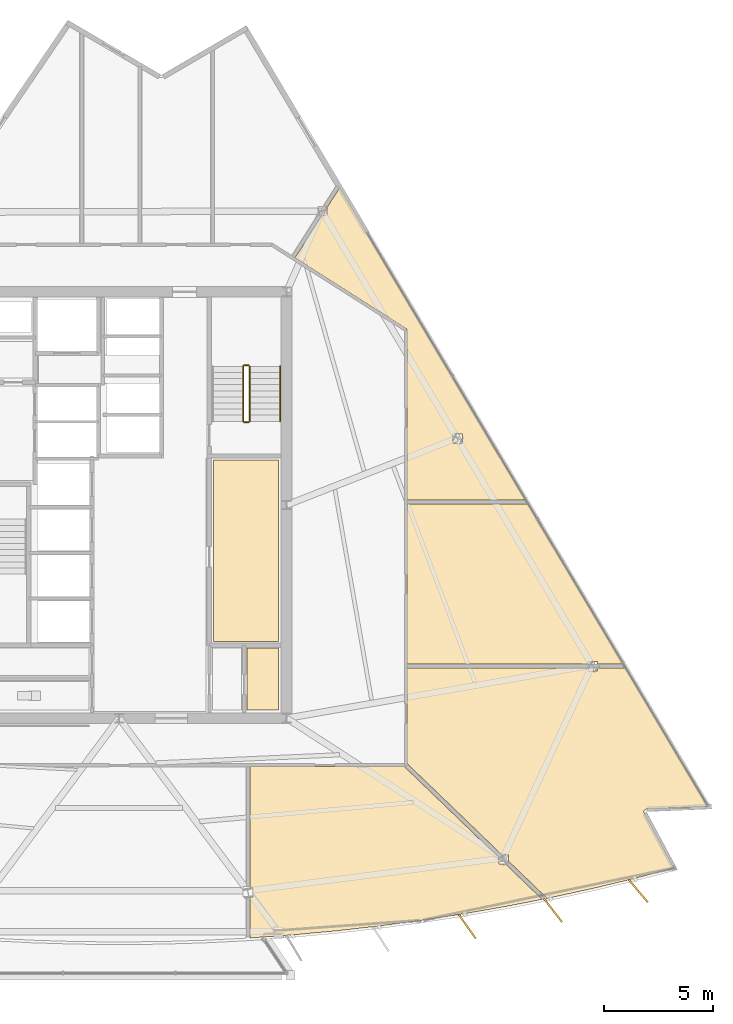
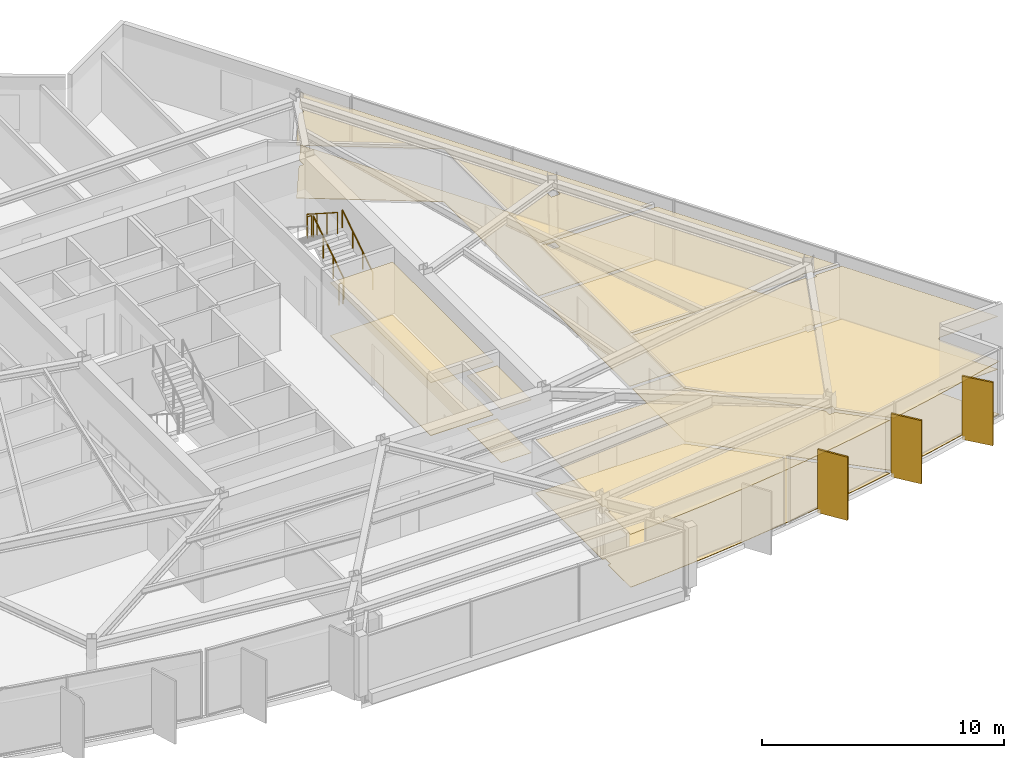
# One storey, part 14 of 16: 12 coverings, 5 railings, 3 shading devices.
"""IFC4 building model written with IfcOpenShell, lengths in metres."""

from ifc_helpers import new_model, si_unit, direction, frame, origin, origin_2d, place, context, subcontext, project, spatial, polyline, rectangle, circle, outline, extrude, material, layer, layer_set, type_object, element, save


model = new_model("IFC4")

# Units and contexts
model_context = context("Model", 3, precision=1e-05, world=origin(), true_north=direction((0.0, 1.0)))
body_context = subcontext(model_context, "Body", "Model", "MODEL_VIEW")
ifc_project = project(units=[si_unit("LENGTHUNIT", "METRE"), si_unit("AREAUNIT", "SQUARE_METRE"), si_unit("VOLUMEUNIT", "CUBIC_METRE"), si_unit("PLANEANGLEUNIT", "RADIAN"), si_unit("MASSUNIT", "GRAM", prefix="KILO")], contexts=[model_context])

# Site, building, storey
site_placement = place(None, origin())
site = spatial("IfcSite", under=ifc_project, at=site_placement, CompositionType="ELEMENT")
building_placement = place(site_placement, origin())
building = spatial("IfcBuilding", under=site, at=building_placement, Name="Savorim Split Tower", CompositionType="ELEMENT")
storey_placement = place(building_placement, frame((0.0, 0.0, 160.199951171875)))
storey = spatial("IfcBuildingStorey", under=building, at=storey_placement, Name="L42", CompositionType="ELEMENT", Elevation=160.199951171875)

# Coverings
ifc_material_1 = material(Name="Mineral Fibre Acoustic Ceiling")
ifc_layer_1 = layer(ifc_material_1, 0.02490234375)
ifc_layer_set_1 = layer_set([ifc_layer_1], Name="COV-CEIL-25")
covering_type_1 = type_object("IfcCoveringType", Name="COV-CEIL-25", PredefinedType="CEILING", material=ifc_layer_set_1)
covering_1_placement = place(storey_placement, frame((0.0, 0.0, 2.670166015625)))
element("IfcCovering", 1, at=covering_1_placement, inside=storey, type_object=covering_type_1, Name="L42 Shared Pantry and Linen Room Acoustic Ceiling", PredefinedType="CEILING", context=body_context, shape_type="SweptSolid", body=[
    extrude(outline(polyline([(4.330078125, 2.469970703125), (4.330078125, -5.8701171875), (7.320068359375, -5.8701171875), (7.320068359375, 2.469970703125), (4.330078125, 2.469970703125)])), origin(), (0.0, 0.0, 1.0), 0.02490234375),
])
covering_2_placement = place(storey_placement, frame((0.0, 0.0, 2.670166015625)))
element("IfcCovering", 2, at=covering_2_placement, inside=storey, type_object=covering_type_1, Name="L42 Recycling Chute Room Acoustic Ceiling", PredefinedType="CEILING", context=body_context, shape_type="SweptSolid", body=[
    extrude(outline(polyline([(5.8798828125, -6.179931640625), (5.8798828125, -9.02001953125), (7.320068359375, -9.02001953125), (7.320068359375, -6.179931640625), (5.8798828125, -6.179931640625)])), origin(), (0.0, 0.0, 1.0), 0.02490234375),
])
covering_3_placement = place(storey_placement, frame((0.0, 0.0, 2.670166015625)))
element("IfcCovering", 3, at=covering_3_placement, inside=storey, type_object=covering_type_1, Name="L42 Co-Working Commons Acoustic Ceiling", PredefinedType="CEILING", context=body_context, shape_type="SweptSolid", body=[
    extrude(outline(polyline([(11.945556640625, -18.947265625), (13.923828125, -18.6826171875), (15.89599609375, -18.37744140625), (17.86181640625, -18.031982421875), (19.4423828125, -17.720947265625), (17.75830078125, -16.10009765625), (17.461669921875, -16.10009765625), (17.461669921875, -15.814208984375), (13.133056640625, -11.647216796875), (13.1044921875, -11.619873046875), (13.10009765625, -11.6201171875), (6.018310546875, -11.6201171875), (6.018310546875, -17.181640625), (6.135498046875, -17.181640625), (6.135498046875, -17.608642578125), (6.018310546875, -17.608642578125), (6.018310546875, -19.450927734375), (6.018310546875, -19.495361328125), (7.974853515625, -19.35498046875), (9.962158203125, -19.17138671875), (11.945556640625, -18.947265625)])), origin(), (0.0, 0.0, 1.0), 0.02490234375),
])
covering_4_placement = place(storey_placement, frame((0.0, 0.0, 2.670166015625)))
element("IfcCovering", 4, at=covering_4_placement, inside=storey, type_object=covering_type_1, Name="L42 Co-Working Commons Acoustic Ceiling", PredefinedType="CEILING", context=body_context, shape_type="SweptSolid", body=[
    extrude(outline(polyline([(24.2138671875, -13.5810546875), (24.22509765625, -13.5791015625), (24.236572265625, -13.577880859375), (27.058837890625, -13.457763671875), (23.258056640625, -7.06591796875), (23.258056640625, -7.098876953125), (21.994873046875, -7.098876953125), (21.994873046875, -7.21728515625), (21.57080078125, -7.21728515625), (21.57080078125, -7.098876953125), (13.239990234375, -7.098876953125), (13.239990234375, -11.47998046875), (13.23974609375, -11.486328125), (17.5888671875, -15.673095703125), (17.885498046875, -15.673095703125), (17.885498046875, -15.958740234375), (19.577880859375, -17.587890625), (19.646240234375, -17.653564453125), (19.614013671875, -17.68701171875), (19.8203125, -17.646484375), (21.770263671875, -17.220947265625), (23.711181640625, -16.755615234375), (25.495849609375, -16.288818359375), (24.135986328125, -13.75439453125), (24.131103515625, -13.744140625), (24.127197265625, -13.7333984375), (24.124267578125, -13.72216796875), (24.122314453125, -13.710693359375), (24.12158203125, -13.69921875), (24.1220703125, -13.6875), (24.123779296875, -13.67626953125), (24.126220703125, -13.664794921875), (24.1298828125, -13.654052734375), (24.134765625, -13.6435546875), (24.140380859375, -13.63330078125), (24.147216796875, -13.6240234375), (24.154541015625, -13.615234375), (24.162841796875, -13.607421875), (24.172119140625, -13.60009765625), (24.181640625, -13.593994140625), (24.19189453125, -13.588623046875), (24.20263671875, -13.584228515625), (24.2138671875, -13.5810546875)])), origin(), (0.0, 0.0, 1.0), 0.02490234375),
])
covering_5_placement = place(storey_placement, frame((0.0, 0.0, 2.670166015625)))
element("IfcCovering", 5, at=covering_5_placement, inside=storey, type_object=covering_type_1, Name="L42 Quiet Study Room Acoustic Ceiling", PredefinedType="CEILING", context=body_context, shape_type="SweptSolid", body=[
    extrude(outline(polyline([(21.994873046875, -6.790283203125), (21.994873046875, -6.908935546875), (23.1630859375, -6.908935546875), (23.164794921875, -6.908935546875), (18.792724609375, 0.443603515625), (13.239990234375, 0.443603515625), (13.239990234375, -6.908935546875), (21.57080078125, -6.908935546875), (21.57080078125, -6.790283203125), (21.994873046875, -6.790283203125)])), origin(), (0.0, 0.0, 1.0), 0.02490234375),
])
covering_6_placement = place(storey_placement, frame((0.0, 0.0, 2.670166015625)))
element("IfcCovering", 6, at=covering_6_placement, inside=storey, type_object=covering_type_1, Name="L42 Quiet Study Room Acoustic Ceiling", PredefinedType="CEILING", context=body_context, shape_type="SweptSolid", body=[
    extrude(outline(polyline([(13.2373046875, 8.427978515625), (13.2392578125, 8.4140625), (13.239990234375, 8.39990234375), (13.239990234375, 0.633544921875), (18.6796875, 0.633544921875), (10.14111328125, 14.99365234375), (9.55517578125, 14.072509765625), (9.55517578125, 13.70263671875), (9.320068359375, 13.70263671875), (8.08251953125, 11.75732421875), (13.175048828125, 8.51806640625), (13.1865234375, 8.510009765625), (13.197265625, 8.500732421875), (13.206787109375, 8.490478515625), (13.21533203125, 8.479248046875), (13.22265625, 8.46728515625), (13.22900390625, 8.45458984375), (13.233642578125, 8.44140625), (13.2373046875, 8.427978515625)]), holes=[polyline([(15.77490234375, 3.24267578125), (15.77490234375, 3.669677734375), (15.35107421875, 3.669677734375), (15.35107421875, 3.24267578125), (15.77490234375, 3.24267578125)])]), origin(), (0.0, 0.0, 1.0), 0.02490234375),
])
ifc_material_2 = material(Name="Porcelain Stoneware Flooring", Category="masonry")
ifc_layer_2 = layer(ifc_material_2, 0.02001953125)
ifc_layer_set_2 = layer_set([ifc_layer_2], Name="COV-FLOR-20")
covering_type_2 = type_object("IfcCoveringType", Name="COV-FLOR-20", PredefinedType="FLOORING", material=ifc_layer_set_2)
covering_7_placement = place(storey_placement, origin())
element("IfcCovering", 7, at=covering_7_placement, inside=storey, type_object=covering_type_2, Name="L42 Shared Pantry and Linen Room Porcelain Flooring", PredefinedType="FLOORING", context=body_context, shape_type="SweptSolid", body=[
    extrude(outline(polyline([(4.330078125, 2.469970703125), (4.330078125, -5.8701171875), (7.320068359375, -5.8701171875), (7.320068359375, 2.469970703125), (4.330078125, 2.469970703125)])), origin(), (0.0, 0.0, 1.0), 0.02001953125),
])
covering_8_placement = place(storey_placement, origin())
element("IfcCovering", 8, at=covering_8_placement, inside=storey, type_object=covering_type_2, Name="L42 Recycling Chute Room Porcelain Flooring", PredefinedType="FLOORING", context=body_context, shape_type="SweptSolid", body=[
    extrude(outline(polyline([(5.8798828125, -6.179931640625), (5.8798828125, -9.02001953125), (7.320068359375, -9.02001953125), (7.320068359375, -6.179931640625), (5.8798828125, -6.179931640625)])), origin(), (0.0, 0.0, 1.0), 0.02001953125),
])
covering_9_placement = place(storey_placement, origin())
element("IfcCovering", 9, at=covering_9_placement, inside=storey, type_object=covering_type_2, Name="L42 Co-Working Commons Porcelain Flooring", PredefinedType="FLOORING", context=body_context, shape_type="SweptSolid", body=[
    extrude(outline(polyline([(11.945556640625, -18.947265625), (13.923828125, -18.6826171875), (15.89599609375, -18.37744140625), (17.86181640625, -18.031982421875), (19.4423828125, -17.720947265625), (17.75830078125, -16.10009765625), (17.461669921875, -16.10009765625), (17.461669921875, -15.814208984375), (13.133056640625, -11.647216796875), (13.1044921875, -11.619873046875), (13.10009765625, -11.6201171875), (6.018310546875, -11.6201171875), (6.018310546875, -17.181640625), (6.135498046875, -17.181640625), (6.135498046875, -17.608642578125), (6.018310546875, -17.608642578125), (6.018310546875, -19.450927734375), (6.018310546875, -19.495361328125), (7.974853515625, -19.35498046875), (9.962158203125, -19.17138671875), (11.945556640625, -18.947265625)])), origin(), (0.0, 0.0, 1.0), 0.02001953125),
])
covering_10_placement = place(storey_placement, origin())
element("IfcCovering", 10, at=covering_10_placement, inside=storey, type_object=covering_type_2, Name="L42 Co-Working Commons Porcelain Flooring", PredefinedType="FLOORING", context=body_context, shape_type="SweptSolid", body=[
    extrude(outline(polyline([(24.2138671875, -13.5810546875), (24.22509765625, -13.5791015625), (24.236572265625, -13.577880859375), (27.058837890625, -13.457763671875), (23.258056640625, -7.06591796875), (23.258056640625, -7.098876953125), (21.994873046875, -7.098876953125), (21.994873046875, -7.21728515625), (21.57080078125, -7.21728515625), (21.57080078125, -7.098876953125), (13.239990234375, -7.098876953125), (13.239990234375, -11.47998046875), (13.23974609375, -11.486328125), (17.5888671875, -15.673095703125), (17.885498046875, -15.673095703125), (17.885498046875, -15.958740234375), (19.577880859375, -17.587890625), (19.646240234375, -17.653564453125), (19.614013671875, -17.68701171875), (19.8203125, -17.646484375), (21.770263671875, -17.220947265625), (23.711181640625, -16.755615234375), (25.495849609375, -16.288818359375), (24.135986328125, -13.75439453125), (24.131103515625, -13.744140625), (24.127197265625, -13.7333984375), (24.124267578125, -13.72216796875), (24.122314453125, -13.710693359375), (24.12158203125, -13.69921875), (24.1220703125, -13.6875), (24.123779296875, -13.67626953125), (24.126220703125, -13.664794921875), (24.1298828125, -13.654052734375), (24.134765625, -13.6435546875), (24.140380859375, -13.63330078125), (24.147216796875, -13.6240234375), (24.154541015625, -13.615234375), (24.162841796875, -13.607421875), (24.172119140625, -13.60009765625), (24.181640625, -13.593994140625), (24.19189453125, -13.588623046875), (24.20263671875, -13.584228515625), (24.2138671875, -13.5810546875)])), origin(), (0.0, 0.0, 1.0), 0.02001953125),
])
covering_11_placement = place(storey_placement, origin())
element("IfcCovering", 11, at=covering_11_placement, inside=storey, type_object=covering_type_2, Name="L42 Quiet Study Room Porcelain Flooring", PredefinedType="FLOORING", context=body_context, shape_type="SweptSolid", body=[
    extrude(outline(polyline([(21.994873046875, -6.790283203125), (21.994873046875, -6.908935546875), (23.1630859375, -6.908935546875), (23.164794921875, -6.908935546875), (18.792724609375, 0.443603515625), (13.239990234375, 0.443603515625), (13.239990234375, -6.908935546875), (21.57080078125, -6.908935546875), (21.57080078125, -6.790283203125), (21.994873046875, -6.790283203125)])), origin(), (0.0, 0.0, 1.0), 0.02001953125),
])
covering_12_placement = place(storey_placement, origin())
element("IfcCovering", 12, at=covering_12_placement, inside=storey, type_object=covering_type_2, Name="L42 Quiet Study Room Porcelain Flooring", PredefinedType="FLOORING", context=body_context, shape_type="SweptSolid", body=[
    extrude(outline(polyline([(13.2373046875, 8.427978515625), (13.2392578125, 8.4140625), (13.239990234375, 8.39990234375), (13.239990234375, 0.633544921875), (18.6796875, 0.633544921875), (10.14111328125, 14.99365234375), (9.55517578125, 14.072509765625), (9.55517578125, 13.70263671875), (9.320068359375, 13.70263671875), (8.08251953125, 11.75732421875), (13.175048828125, 8.51806640625), (13.1865234375, 8.510009765625), (13.197265625, 8.500732421875), (13.206787109375, 8.490478515625), (13.21533203125, 8.479248046875), (13.22265625, 8.46728515625), (13.22900390625, 8.45458984375), (13.233642578125, 8.44140625), (13.2373046875, 8.427978515625)]), holes=[polyline([(15.77490234375, 3.24267578125), (15.77490234375, 3.669677734375), (15.35107421875, 3.669677734375), (15.35107421875, 3.24267578125), (15.77490234375, 3.24267578125)])]), origin(), (0.0, 0.0, 1.0), 0.02001953125),
])

# Railings
ifc_material_3 = material(Name="Galvanised Painted Steel Balustrade", Category="steel")
railing_type_1 = type_object("IfcRailingType", Name="RLG-HR-900", PredefinedType="HANDRAIL", material=ifc_material_3)
railing_1_placement = place(storey_placement, frame((7.39990234375, 4.25, 0.179931640625)))
element("IfcRailing", 13, at=railing_1_placement, inside=storey, type_object=railing_type_1, Name="L42 ST-2 stair handrail 1", PredefinedType="HANDRAIL", context=body_context, shape_type="SweptSolid", body=[
    extrude(circle(Radius=0.02392578125, at=origin_2d()), frame((0.0, 0.0, 0.8759765625), z_axis=(0.0, 0.841162588446, 0.540782303519), x_axis=(-1.0, 0.0, 0.0)), (0.0, 0.0, 1.0), 2.995849609375),
    extrude(circle(Radius=0.02099609375, at=origin_2d()), origin(), (0.0, 0.0, 1.0), 0.851806640625),
    extrude(circle(Radius=0.02099609375, at=origin_2d()), frame((0.0, 0.840087890625, 0.5400390625)), (0.0, 0.0, 1.0), 0.851806640625),
    extrude(circle(Radius=0.02099609375, at=origin_2d()), frame((0.0, 1.679931640625, 1.080078125)), (0.0, 0.0, 1.0), 0.851806640625),
    extrude(circle(Radius=0.02099609375, at=origin_2d()), frame((0.0, 2.52001953125, 1.6201171875)), (0.0, 0.0, 1.0), 0.851806640625),
])
railing_type_2 = type_object("IfcRailingType", Name="RLG-STG-1100", PredefinedType="BALUSTRADE", material=ifc_material_3)
railing_2_placement = place(storey_placement, frame((6.0, 4.25, 0.179931640625)))
element("IfcRailing", 14, at=railing_2_placement, inside=storey, type_object=railing_type_2, Name="L42 ST-2 stair guard 1", PredefinedType="BALUSTRADE", context=body_context, shape_type="SweptSolid", body=[
    extrude(circle(Radius=0.02392578125, at=origin_2d()), frame((0.0, 0.0, 1.076171875), z_axis=(0.0, 0.841162588446, 0.540782303519), x_axis=(-1.0, 0.0, 0.0)), (0.0, 0.0, 1.0), 2.995849609375),
    extrude(circle(Radius=0.02099609375, at=origin_2d()), origin(), (0.0, 0.0, 1.0), 1.052001953125),
    extrude(circle(Radius=0.02099609375, at=origin_2d()), frame((0.0, 0.840087890625, 0.5400390625)), (0.0, 0.0, 1.0), 1.052001953125),
    extrude(circle(Radius=0.02099609375, at=origin_2d()), frame((0.0, 1.679931640625, 1.080078125)), (0.0, 0.0, 1.0), 1.052001953125),
    extrude(circle(Radius=0.02099609375, at=origin_2d()), frame((0.0, 2.52001953125, 1.6201171875)), (0.0, 0.0, 1.0), 1.052001953125),
])
railing_3_placement = place(storey_placement, frame((5.949951171875, 6.820068359375, 1.800048828125)))
element("IfcRailing", 15, at=railing_3_placement, inside=storey, type_object=railing_type_2, Name="L42 ST-2 stair guard 2", PredefinedType="BALUSTRADE", context=body_context, shape_type="SweptSolid", body=[
    extrude(circle(Radius=0.02392578125, at=origin_2d()), frame((0.0, 0.0, 1.076171875), z_axis=(-1.0, 0.0, 0.0), x_axis=(0.0, -1.0, 0.0)), (0.0, 0.0, 1.0), 0.199951171875),
    extrude(circle(Radius=0.02099609375, at=origin_2d()), origin(), (0.0, 0.0, 1.0), 1.052001953125),
    extrude(circle(Radius=0.02099609375, at=origin_2d()), frame((-0.199951171875, 0.0, 0.0)), (0.0, 0.0, 1.0), 1.052001953125),
])
railing_4_placement = place(storey_placement, frame((5.699951171875, 6.77001953125, 1.97998046875)))
element("IfcRailing", 16, at=railing_4_placement, inside=storey, type_object=railing_type_2, Name="L42 ST-2 stair guard 3", PredefinedType="BALUSTRADE", context=body_context, shape_type="SweptSolid", body=[
    extrude(circle(Radius=0.02392578125, at=origin_2d()), frame((0.0, 0.0, 1.076171875), z_axis=(0.0, -0.841162588446, 0.540782303519), x_axis=(1.0, 0.0, 0.0)), (0.0, 0.0, 1.0), 2.995849609375),
    extrude(circle(Radius=0.02099609375, at=origin_2d()), origin(), (0.0, 0.0, 1.0), 1.052001953125),
    extrude(circle(Radius=0.02099609375, at=origin_2d()), frame((0.0, -0.840087890625, 0.5400390625)), (0.0, 0.0, 1.0), 1.052001953125),
    extrude(circle(Radius=0.02099609375, at=origin_2d()), frame((0.0, -1.679931640625, 1.080078125)), (0.0, 0.0, 1.0), 1.052001953125),
    extrude(circle(Radius=0.02099609375, at=origin_2d()), frame((0.0, -2.52001953125, 1.6201171875)), (0.0, 0.0, 1.0), 1.052001953125),
])
railing_5_placement = place(storey_placement, frame((5.949951171875, 4.199951171875, 0.0)))
element("IfcRailing", 17, at=railing_5_placement, inside=storey, type_object=railing_type_2, Name="L42 ST-2 stair guard 4", PredefinedType="BALUSTRADE", context=body_context, shape_type="SweptSolid", body=[
    extrude(circle(Radius=0.02392578125, at=origin_2d()), frame((0.0, 0.0, 1.076171875), z_axis=(-1.0, 0.0, 0.0), x_axis=(0.0, -1.0, 0.0)), (0.0, 0.0, 1.0), 0.199951171875),
    extrude(circle(Radius=0.02099609375, at=origin_2d()), origin(), (0.0, 0.0, 1.0), 1.052001953125),
    extrude(circle(Radius=0.02099609375, at=origin_2d()), frame((-0.199951171875, 0.0, 0.0)), (0.0, 0.0, 1.0), 1.052001953125),
])

# Shading devices
ifc_material_4 = material(Name="Terracotta Ceramic-Coated Aluminium Fin", Category="masonry")
shading_device_type = type_object("IfcShadingDeviceType", Name="SHD-FIN-1360", PredefinedType="USERDEFINED", material=ifc_material_4)
for number, where, z_axis, x_axis, name in (
    (18, (15.993408203125, -18.965576171875, -0.19970703125), (0.0, 0.0, 1.0), (0.578993757737, -0.815331974414, 0.0), "L42 Sawtooth Shading Fin 11"),
    (19, (19.94140625, -18.22998046875, -0.19970703125), (0.0, 0.0, 1.0), (0.611868076908, -0.790959832394, 0.0), "L42 Sawtooth Shading Fin 12"),
    (20, (23.85595703125, -17.333740234375, -0.19970703125), (0.0, 0.0, 1.0), (0.643719022682, -0.765261928909, 0.0), "L42 Sawtooth Shading Fin 13"),
):
    element("IfcShadingDevice", number, at=place(storey_placement, frame(where, z_axis=z_axis, x_axis=x_axis)), inside=storey, type_object=shading_device_type, Name=name, ObjectType="FIN", PredefinedType="USERDEFINED", context=body_context, shape_type="SweptSolid", body=[
        extrude(rectangle(XDim=1.360107421875, YDim=0.080078125, at=origin_2d()), origin(), (0.0, 0.0, 1.0), 3.199951171875),
    ])

save(model, "model.ifc")
